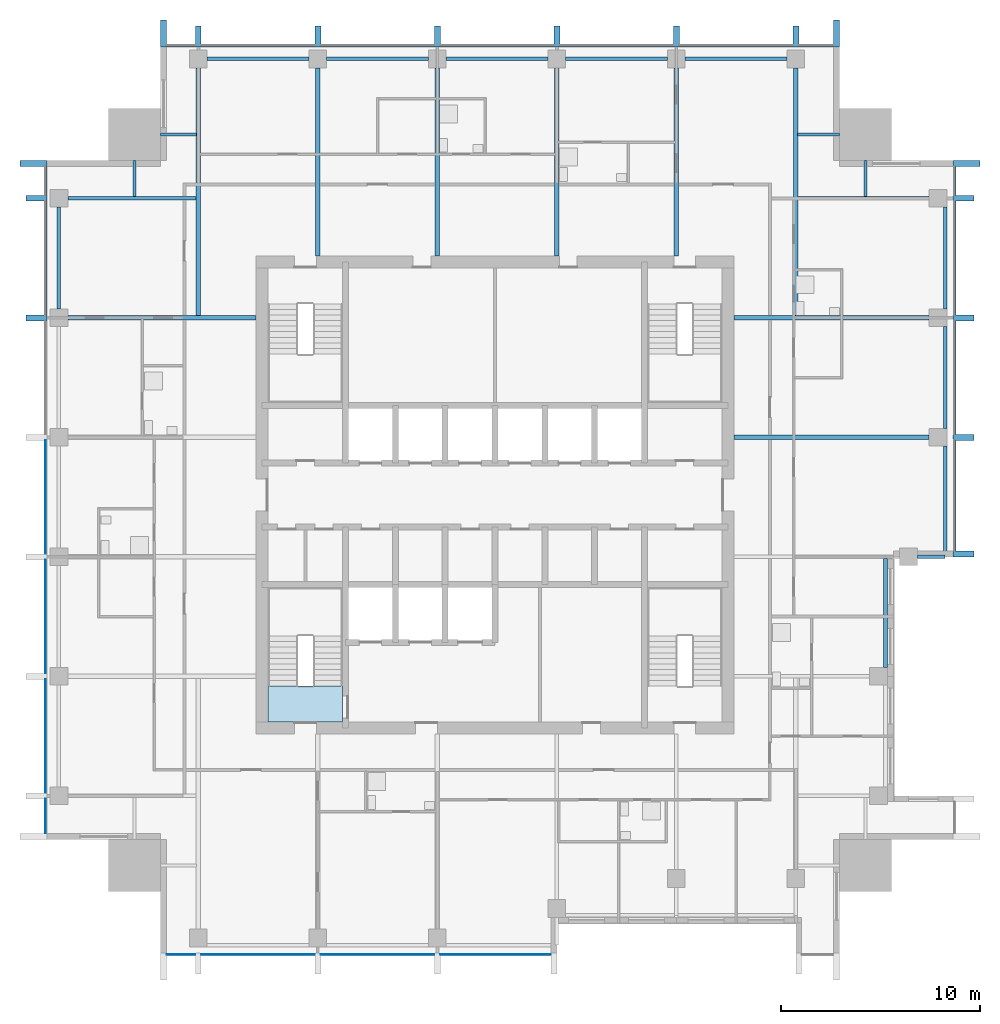
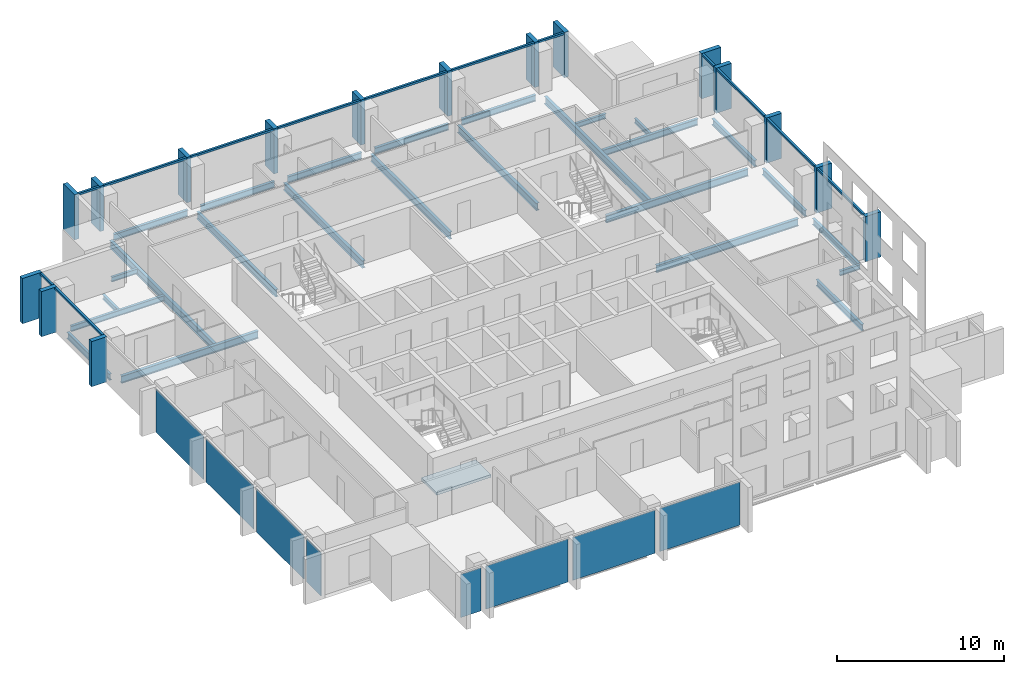
# One storey, part 2 of 10: 29 members, 26 beams, 8 plates, 1 slab, 5 elements without a shape of their own.
"""IFC4 building model written with IfcOpenShell, lengths in metres."""

from ifc_helpers import new_model, si_unit, direction, frame, origin, origin_2d, place, context, subcontext, project, spatial, polyline, rectangle, i_section, outline, extrude, material, layer, layer_set, material_profile, profile_set, type_object, element, aggregate, save


model = new_model("IFC4")

# Units and contexts
model_context = context("Model", 3, precision=1e-05, world=origin(), true_north=direction((0.0, 1.0)))
body_context = subcontext(model_context, "Body", "Model", "MODEL_VIEW")
ifc_project = project(units=[si_unit("LENGTHUNIT", "METRE"), si_unit("AREAUNIT", "SQUARE_METRE"), si_unit("VOLUMEUNIT", "CUBIC_METRE"), si_unit("PLANEANGLEUNIT", "RADIAN"), si_unit("MASSUNIT", "GRAM", prefix="KILO")], contexts=[model_context])

# Site, building, storey
site_placement = place(None, origin())
site = spatial("IfcSite", under=ifc_project, at=site_placement, CompositionType="ELEMENT")
building_placement = place(site_placement, origin())
building = spatial("IfcBuilding", under=site, at=building_placement, Name="Amberfall Residences", CompositionType="ELEMENT")
storey_placement = place(building_placement, frame((0.0, 0.0, 206.800048828125)))
storey = spatial("IfcBuildingStorey", under=building, at=storey_placement, Name="L55", CompositionType="ELEMENT", Elevation=206.800048828125)

# Curtain wall, members
ifc_material_1 = material(Name="Bronze anodised aluminium and glass", Category="aluminium")
curtain_wall_type = type_object("IfcCurtainWallType", Name="Curtain wall CW1 tower unit", PredefinedType="USERDEFINED", material=ifc_material_1)
curtain_wall_1_placement = place(storey_placement, origin())
curtain_wall_1 = element("IfcCurtainWall", 1, at=curtain_wall_1_placement, inside=storey, type_object=curtain_wall_type, Name="Curtain wall L55 E E6", ObjectType="UNITISED CURTAIN WALL", PredefinedType="USERDEFINED")
ifc_material_2 = material(Name="Bronze anodised aluminium", Category="aluminium")
ifc_material_profile_1 = material_profile(ifc_material_2, rectangle(XDim=0.14990234375, YDim=0.14990234375, at=origin_2d()), Name="CW1 transom 150 x 150 bronze")
ifc_profile_set_1 = profile_set([ifc_material_profile_1], Name="Bronze anodised aluminium")
member_type_1 = type_object("IfcMemberType", Name="CW1 transom 150 x 150 bronze", PredefinedType="USERDEFINED", material=ifc_profile_set_1)
member_1_placement = place(storey_placement, frame((97.574951171875, 42.699951171875, 2.974853515625), z_axis=(0.0, 1.0, 0.0), x_axis=(-1.0, 0.0, 0.0)))
member_1 = element("IfcMember", 2, at=member_1_placement, type_object=member_type_1, Name="CW1 transom 1.1", ObjectType="TRANSOM", PredefinedType="USERDEFINED", context=body_context, shape_type="SweptSolid", body=[
    extrude(rectangle(XDim=0.14990234375, YDim=0.14990234375, at=origin_2d()), origin(), (0.0, 0.0, 1.0), 5.550048828125),
])
member_2_placement = place(storey_placement, frame((97.574951171875, 48.550048828125, 2.974853515625), z_axis=(0.0, 1.0, 0.0), x_axis=(-1.0, 0.0, 0.0)))
member_2 = element("IfcMember", 3, at=member_2_placement, type_object=member_type_1, Name="CW1 transom 2.1", ObjectType="TRANSOM", PredefinedType="USERDEFINED", context=body_context, shape_type="SweptSolid", body=[
    extrude(rectangle(XDim=0.14990234375, YDim=0.14990234375, at=origin_2d()), origin(), (0.0, 0.0, 1.0), 5.699951171875),
])
member_3_placement = place(storey_placement, frame((97.574951171875, 54.550048828125, 2.974853515625), z_axis=(0.0, 1.0, 0.0), x_axis=(-1.0, 0.0, 0.0)))
member_3 = element("IfcMember", 4, at=member_3_placement, type_object=member_type_1, Name="CW1 transom 3.1", ObjectType="TRANSOM", PredefinedType="USERDEFINED", context=body_context, shape_type="SweptSolid", body=[
    extrude(rectangle(XDim=0.14990234375, YDim=0.14990234375, at=origin_2d()), origin(), (0.0, 0.0, 1.0), 5.699951171875),
])
member_4_placement = place(storey_placement, frame((97.574951171875, 60.550048828125, 2.974853515625), z_axis=(0.0, 1.0, 0.0), x_axis=(-1.0, 0.0, 0.0)))
member_4 = element("IfcMember", 5, at=member_4_placement, type_object=member_type_1, Name="CW1 transom 4.1", ObjectType="TRANSOM", PredefinedType="USERDEFINED", context=body_context, shape_type="SweptSolid", body=[
    extrude(rectangle(XDim=0.14990234375, YDim=0.14990234375, at=origin_2d()), origin(), (0.0, 0.0, 1.0), 1.449951171875),
])

curtain_wall_2_placement = place(storey_placement, origin())
curtain_wall_2 = element("IfcCurtainWall", 6, at=curtain_wall_2_placement, inside=storey, type_object=curtain_wall_type, Name="Curtain wall L55 N N1", ObjectType="UNITISED CURTAIN WALL", PredefinedType="USERDEFINED")
member_5_placement = place(storey_placement, frame((91.5, 68.074951171875, 2.974853515625), z_axis=(-1.0, 0.0, 0.0), x_axis=(0.0, -1.0, 0.0)))
member_5 = element("IfcMember", 7, at=member_5_placement, type_object=member_type_1, Name="CW1 transom 1.1", ObjectType="TRANSOM", PredefinedType="USERDEFINED", context=body_context, shape_type="SweptSolid", body=[
    extrude(rectangle(XDim=0.14990234375, YDim=0.14990234375, at=origin_2d()), origin(), (0.0, 0.0, 1.0), 1.75),
])
member_6_placement = place(storey_placement, frame((89.449951171875, 68.074951171875, 2.974853515625), z_axis=(-1.0, 0.0, 0.0), x_axis=(0.0, -1.0, 0.0)))
member_6 = element("IfcMember", 8, at=member_6_placement, type_object=member_type_1, Name="CW1 transom 2.1", ObjectType="TRANSOM", PredefinedType="USERDEFINED", context=body_context, shape_type="SweptSolid", body=[
    extrude(rectangle(XDim=0.14990234375, YDim=0.14990234375, at=origin_2d()), origin(), (0.0, 0.0, 1.0), 5.699951171875),
])
member_7_placement = place(storey_placement, frame((83.449951171875, 68.074951171875, 2.974853515625), z_axis=(-1.0, 0.0, 0.0), x_axis=(0.0, -1.0, 0.0)))
member_7 = element("IfcMember", 9, at=member_7_placement, type_object=member_type_1, Name="CW1 transom 3.1", ObjectType="TRANSOM", PredefinedType="USERDEFINED", context=body_context, shape_type="SweptSolid", body=[
    extrude(rectangle(XDim=0.14990234375, YDim=0.14990234375, at=origin_2d()), origin(), (0.0, 0.0, 1.0), 5.699951171875),
])
member_8_placement = place(storey_placement, frame((77.449951171875, 68.074951171875, 2.974853515625), z_axis=(-1.0, 0.0, 0.0), x_axis=(0.0, -1.0, 0.0)))
member_8 = element("IfcMember", 10, at=member_8_placement, type_object=member_type_1, Name="CW1 transom 4.1", ObjectType="TRANSOM", PredefinedType="USERDEFINED", context=body_context, shape_type="SweptSolid", body=[
    extrude(rectangle(XDim=0.14990234375, YDim=0.14990234375, at=origin_2d()), origin(), (0.0, 0.0, 1.0), 5.699951171875),
])
member_9_placement = place(storey_placement, frame((71.449951171875, 68.074951171875, 2.974853515625), z_axis=(-1.0, 0.0, 0.0), x_axis=(0.0, -1.0, 0.0)))
member_9 = element("IfcMember", 11, at=member_9_placement, type_object=member_type_1, Name="CW1 transom 5.1", ObjectType="TRANSOM", PredefinedType="USERDEFINED", context=body_context, shape_type="SweptSolid", body=[
    extrude(rectangle(XDim=0.14990234375, YDim=0.14990234375, at=origin_2d()), origin(), (0.0, 0.0, 1.0), 5.699951171875),
])
member_10_placement = place(storey_placement, frame((65.449951171875, 68.074951171875, 2.974853515625), z_axis=(-1.0, 0.0, 0.0), x_axis=(0.0, -1.0, 0.0)))
member_10 = element("IfcMember", 12, at=member_10_placement, type_object=member_type_1, Name="CW1 transom 6.1", ObjectType="TRANSOM", PredefinedType="USERDEFINED", context=body_context, shape_type="SweptSolid", body=[
    extrude(rectangle(XDim=0.14990234375, YDim=0.14990234375, at=origin_2d()), origin(), (0.0, 0.0, 1.0), 5.699951171875),
])
member_11_placement = place(storey_placement, frame((59.449951171875, 68.074951171875, 2.974853515625), z_axis=(-1.0, 0.0, 0.0), x_axis=(0.0, -1.0, 0.0)))
member_11 = element("IfcMember", 13, at=member_11_placement, type_object=member_type_1, Name="CW1 transom 7.1", ObjectType="TRANSOM", PredefinedType="USERDEFINED", context=body_context, shape_type="SweptSolid", body=[
    extrude(rectangle(XDim=0.14990234375, YDim=0.14990234375, at=origin_2d()), origin(), (0.0, 0.0, 1.0), 1.449951171875),
])

curtain_wall_3_placement = place(storey_placement, origin())
curtain_wall_3 = element("IfcCurtainWall", 14, at=curtain_wall_3_placement, inside=storey, type_object=curtain_wall_type, Name="Curtain wall L55 W W1", ObjectType="UNITISED CURTAIN WALL", PredefinedType="USERDEFINED")
member_12_placement = place(storey_placement, frame((51.925048828125, 62.0, 2.974853515625), z_axis=(0.0, -1.0, 0.0), x_axis=(1.0, 0.0, 0.0)))
member_12 = element("IfcMember", 15, at=member_12_placement, type_object=member_type_1, Name="CW1 transom 1.1", ObjectType="TRANSOM", PredefinedType="USERDEFINED", context=body_context, shape_type="SweptSolid", body=[
    extrude(rectangle(XDim=0.14990234375, YDim=0.14990234375, at=origin_2d()), origin(), (0.0, 0.0, 1.0), 1.449951171875),
])
member_13_placement = place(storey_placement, frame((51.925048828125, 60.25, 2.974853515625), z_axis=(0.0, -1.0, 0.0), x_axis=(1.0, 0.0, 0.0)))
member_13 = element("IfcMember", 16, at=member_13_placement, type_object=member_type_1, Name="CW1 transom 2.1", ObjectType="TRANSOM", PredefinedType="USERDEFINED", context=body_context, shape_type="SweptSolid", body=[
    extrude(rectangle(XDim=0.14990234375, YDim=0.14990234375, at=origin_2d()), origin(), (0.0, 0.0, 1.0), 5.699951171875),
])

# Beam
ifc_material_3 = material(Name="Steel S355", Category="steel")
ifc_material_profile_2 = material_profile(ifc_material_3, i_section(OverallWidth=0.171142578125, OverallDepth=0.351318359375, WebThickness=0.007080078125, FlangeThickness=0.009765625, FilletRadius=0.01025390625, at=origin_2d()), Name="UB 356x171x45")
ifc_profile_set_2 = profile_set([ifc_material_profile_2], Name="Steel S355")
beam_type_1 = type_object("IfcBeamType", Name="Cantilever girder UB 356x171x45", PredefinedType="BEAM", material=ifc_profile_set_2)
beam_1_placement = place(storey_placement, frame((95.699951171875, 42.39990234375, -0.42578125), z_axis=(1.0, 0.0, 0.0), x_axis=(0.0, 1.0, 0.0)))
element("IfcBeam", 17, at=beam_1_placement, inside=storey, type_object=beam_type_1, Name="Cantilever girder B8 L55 20", PredefinedType="BEAM", context=body_context, shape_type="SweptSolid", body=[
    extrude(i_section(OverallWidth=0.171142578125, OverallDepth=0.351318359375, WebThickness=0.007080078125, FlangeThickness=0.009765625, FilletRadius=0.01025390625, at=origin_2d()), origin(), (0.0, 0.0, 1.0), 1.400146484375),
])

# Member
ifc_material_profile_3 = material_profile(ifc_material_2, rectangle(XDim=1.35009765625, YDim=0.300048828125, at=origin_2d()), Name="Corner fin 300 x 1350 bronze")
ifc_profile_set_3 = profile_set([ifc_material_profile_3], Name="Bronze anodised aluminium")
member_type_2 = type_object("IfcMemberType", Name="Corner fin 300 x 1350 bronze", PredefinedType="MULLION", material=ifc_profile_set_3)
member_14_placement = place(storey_placement, frame((98.175048828125, 62.14990234375, -0.25), z_axis=(0.0, 0.0, 1.0), x_axis=(-1.0, 0.0, 0.0)))
member_14 = element("IfcMember", 18, at=member_14_placement, type_object=member_type_2, Name="CW FIN 5", PredefinedType="MULLION", context=body_context, shape_type="SweptSolid", body=[
    extrude(rectangle(XDim=1.35009765625, YDim=0.300048828125, at=origin_2d()), origin(), (0.0, 0.0, 1.0), 3.300048828125),
])

member_15_placement = place(storey_placement, frame((91.64990234375, 68.675048828125, -0.25), z_axis=(0.0, 0.0, 1.0), x_axis=(0.0, -1.0, 0.0)))
member_15 = element("IfcMember", 19, at=member_15_placement, type_object=member_type_2, Name="CW FIN 1", PredefinedType="MULLION", context=body_context, shape_type="SweptSolid", body=[
    extrude(rectangle(XDim=1.35009765625, YDim=0.300048828125, at=origin_2d()), origin(), (0.0, 0.0, 1.0), 3.300048828125),
])

member_16_placement = place(storey_placement, frame((57.85009765625, 68.675048828125, -0.25), z_axis=(0.0, 0.0, 1.0), x_axis=(0.0, -1.0, 0.0)))
member_16 = element("IfcMember", 20, at=member_16_placement, type_object=member_type_2, Name="CW FIN 8", PredefinedType="MULLION", context=body_context, shape_type="SweptSolid", body=[
    extrude(rectangle(XDim=1.35009765625, YDim=0.300048828125, at=origin_2d()), origin(), (0.0, 0.0, 1.0), 3.300048828125),
])

member_17_placement = place(storey_placement, frame((51.324951171875, 62.14990234375, -0.25), z_axis=(0.0, 0.0, 1.0), x_axis=(1.0, 0.0, 0.0)))
member_17 = element("IfcMember", 21, at=member_17_placement, type_object=member_type_2, Name="CW FIN 1", PredefinedType="MULLION", context=body_context, shape_type="SweptSolid", body=[
    extrude(rectangle(XDim=1.35009765625, YDim=0.300048828125, at=origin_2d()), origin(), (0.0, 0.0, 1.0), 3.300048828125),
])

# Beams
ifc_material_profile_4 = material_profile(ifc_material_3, i_section(OverallWidth=0.18994140625, OverallDepth=0.453369140625, WebThickness=0.008544921875, FlangeThickness=0.0126953125, FilletRadius=0.01025390625, at=origin_2d()), Name="UB 457x191x67")
ifc_profile_set_4 = profile_set([ifc_material_profile_4], Name="Steel S355")
beam_type_2 = type_object("IfcBeamType", Name="Edge beam UB 457x191x67", PredefinedType="SPANDREL", material=ifc_profile_set_4)
for number, where, z_axis, x_axis, name in (
    (22, (94.10009765625, 36.85009765625, -0.476806640625), (0.0, 1.0, 0.0), (-1.0, 0.0, 0.0), "Edge beam B1 L55 16"),
    (23, (97.10009765625, 42.47998046875, -0.476806640625), (0.0, 1.0, 0.0), (-1.0, 0.0, 0.0), "Edge beam B1 L55 17"),
):
    element("IfcBeam", number, at=place(storey_placement, frame(where, z_axis=z_axis, x_axis=x_axis)), inside=storey, type_object=beam_type_2, Name=name, PredefinedType="SPANDREL", context=body_context, shape_type="SweptSolid", body=[
        extrude(i_section(OverallWidth=0.18994140625, OverallDepth=0.453369140625, WebThickness=0.008544921875, FlangeThickness=0.0126953125, FilletRadius=0.01025390625, at=origin_2d()), origin(), (0.0, 0.0, 1.0), 5.469970703125),
    ])
for number, where, z_axis, x_axis, name in (
    (24, (97.10009765625, 48.85009765625, -0.476806640625), (0.0, 1.0, 0.0), (-1.0, 0.0, 0.0), "Edge beam B1 L55 18"),
    (25, (97.10009765625, 54.85009765625, -0.476806640625), (0.0, 1.0, 0.0), (-1.0, 0.0, 0.0), "Edge beam B1 L55 19"),
    (26, (60.050048828125, 67.39990234375, -0.476806640625), (1.0, 0.0, 0.0), (0.0, 1.0, 0.0), "Edge beam B1 L55 27"),
    (27, (66.050048828125, 67.39990234375, -0.476806640625), (1.0, 0.0, 0.0), (0.0, 1.0, 0.0), "Edge beam B1 L55 28"),
    (28, (72.050048828125, 67.39990234375, -0.476806640625), (1.0, 0.0, 0.0), (0.0, 1.0, 0.0), "Edge beam B1 L55 29"),
    (29, (78.050048828125, 67.39990234375, -0.476806640625), (1.0, 0.0, 0.0), (0.0, 1.0, 0.0), "Edge beam B1 L55 30"),
    (30, (84.050048828125, 67.39990234375, -0.476806640625), (1.0, 0.0, 0.0), (0.0, 1.0, 0.0), "Edge beam B1 L55 31"),
    (31, (52.60009765625, 54.85009765625, -0.476806640625), (0.0, 1.0, 0.0), (-1.0, 0.0, 0.0), "Edge beam B1 L55 42"),
):
    element("IfcBeam", number, at=place(storey_placement, frame(where, z_axis=z_axis, x_axis=x_axis)), inside=storey, type_object=beam_type_2, Name=name, PredefinedType="SPANDREL", context=body_context, shape_type="SweptSolid", body=[
        extrude(i_section(OverallWidth=0.18994140625, OverallDepth=0.453369140625, WebThickness=0.008544921875, FlangeThickness=0.0126953125, FilletRadius=0.01025390625, at=origin_2d()), origin(), (0.0, 0.0, 1.0), 5.099853515625),
    ])

# Member
ifc_material_profile_5 = material_profile(ifc_material_2, rectangle(XDim=1.050048828125, YDim=0.300048828125, at=origin_2d()), Name="Fin 300 x 1050 bronze")
ifc_profile_set_5 = profile_set([ifc_material_profile_5], Name="Bronze anodised aluminium")
member_type_3 = type_object("IfcMemberType", Name="Fin 300 x 1050 bronze", PredefinedType="MULLION", material=ifc_profile_set_5)
member_18_placement = place(storey_placement, frame((98.02490234375, 42.550048828125, -0.25), z_axis=(0.0, 0.0, 1.0), x_axis=(-1.0, 0.0, 0.0)))
member_18 = element("IfcMember", 32, at=member_18_placement, type_object=member_type_3, Name="CW FIN 1", PredefinedType="MULLION", context=body_context, shape_type="SweptSolid", body=[
    extrude(rectangle(XDim=1.050048828125, YDim=0.300048828125, at=origin_2d()), origin(), (0.0, 0.0, 1.0), 3.300048828125),
])

member_19_placement = place(storey_placement, frame((98.02490234375, 48.39990234375, -0.25), z_axis=(0.0, 0.0, 1.0), x_axis=(-1.0, 0.0, 0.0)))
member_19 = element("IfcMember", 33, at=member_19_placement, type_object=member_type_3, Name="CW FIN 2", PredefinedType="MULLION", context=body_context, shape_type="SweptSolid", body=[
    extrude(rectangle(XDim=1.050048828125, YDim=0.300048828125, at=origin_2d()), origin(), (0.0, 0.0, 1.0), 3.300048828125),
])

member_20_placement = place(storey_placement, frame((98.02490234375, 54.39990234375, -0.25), z_axis=(0.0, 0.0, 1.0), x_axis=(-1.0, 0.0, 0.0)))
member_20 = element("IfcMember", 34, at=member_20_placement, type_object=member_type_3, Name="CW FIN 3", PredefinedType="MULLION", context=body_context, shape_type="SweptSolid", body=[
    extrude(rectangle(XDim=1.050048828125, YDim=0.300048828125, at=origin_2d()), origin(), (0.0, 0.0, 1.0), 3.300048828125),
])

member_21_placement = place(storey_placement, frame((98.02490234375, 60.39990234375, -0.25), z_axis=(0.0, 0.0, 1.0), x_axis=(-1.0, 0.0, 0.0)))
member_21 = element("IfcMember", 35, at=member_21_placement, type_object=member_type_3, Name="CW FIN 4", PredefinedType="MULLION", context=body_context, shape_type="SweptSolid", body=[
    extrude(rectangle(XDim=1.050048828125, YDim=0.300048828125, at=origin_2d()), origin(), (0.0, 0.0, 1.0), 3.300048828125),
])

aggregate(curtain_wall_1, [member_18, member_19, member_20, member_21, member_14, member_1, member_2, member_3, member_4])

member_22_placement = place(storey_placement, frame((89.60009765625, 68.52490234375, -0.25), z_axis=(0.0, 0.0, 1.0), x_axis=(0.0, -1.0, 0.0)))
member_22 = element("IfcMember", 36, at=member_22_placement, type_object=member_type_3, Name="CW FIN 2", PredefinedType="MULLION", context=body_context, shape_type="SweptSolid", body=[
    extrude(rectangle(XDim=1.050048828125, YDim=0.300048828125, at=origin_2d()), origin(), (0.0, 0.0, 1.0), 3.300048828125),
])

member_23_placement = place(storey_placement, frame((83.60009765625, 68.52490234375, -0.25), z_axis=(0.0, 0.0, 1.0), x_axis=(0.0, -1.0, 0.0)))
member_23 = element("IfcMember", 37, at=member_23_placement, type_object=member_type_3, Name="CW FIN 3", PredefinedType="MULLION", context=body_context, shape_type="SweptSolid", body=[
    extrude(rectangle(XDim=1.050048828125, YDim=0.300048828125, at=origin_2d()), origin(), (0.0, 0.0, 1.0), 3.300048828125),
])

member_24_placement = place(storey_placement, frame((77.60009765625, 68.52490234375, -0.25), z_axis=(0.0, 0.0, 1.0), x_axis=(0.0, -1.0, 0.0)))
member_24 = element("IfcMember", 38, at=member_24_placement, type_object=member_type_3, Name="CW FIN 4", PredefinedType="MULLION", context=body_context, shape_type="SweptSolid", body=[
    extrude(rectangle(XDim=1.050048828125, YDim=0.300048828125, at=origin_2d()), origin(), (0.0, 0.0, 1.0), 3.300048828125),
])

member_25_placement = place(storey_placement, frame((71.60009765625, 68.52490234375, -0.25), z_axis=(0.0, 0.0, 1.0), x_axis=(0.0, -1.0, 0.0)))
member_25 = element("IfcMember", 39, at=member_25_placement, type_object=member_type_3, Name="CW FIN 5", PredefinedType="MULLION", context=body_context, shape_type="SweptSolid", body=[
    extrude(rectangle(XDim=1.050048828125, YDim=0.300048828125, at=origin_2d()), origin(), (0.0, 0.0, 1.0), 3.300048828125),
])

member_26_placement = place(storey_placement, frame((65.60009765625, 68.52490234375, -0.25), z_axis=(0.0, 0.0, 1.0), x_axis=(0.0, -1.0, 0.0)))
member_26 = element("IfcMember", 40, at=member_26_placement, type_object=member_type_3, Name="CW FIN 6", PredefinedType="MULLION", context=body_context, shape_type="SweptSolid", body=[
    extrude(rectangle(XDim=1.050048828125, YDim=0.300048828125, at=origin_2d()), origin(), (0.0, 0.0, 1.0), 3.300048828125),
])

member_27_placement = place(storey_placement, frame((59.60009765625, 68.52490234375, -0.25), z_axis=(0.0, 0.0, 1.0), x_axis=(0.0, -1.0, 0.0)))
member_27 = element("IfcMember", 41, at=member_27_placement, type_object=member_type_3, Name="CW FIN 7", PredefinedType="MULLION", context=body_context, shape_type="SweptSolid", body=[
    extrude(rectangle(XDim=1.050048828125, YDim=0.300048828125, at=origin_2d()), origin(), (0.0, 0.0, 1.0), 3.300048828125),
])

aggregate(curtain_wall_2, [member_15, member_22, member_23, member_24, member_25, member_26, member_27, member_16, member_5, member_6, member_7, member_8, member_9, member_10, member_11])

member_28_placement = place(storey_placement, frame((51.47509765625, 60.39990234375, -0.25), z_axis=(0.0, 0.0, 1.0), x_axis=(1.0, 0.0, 0.0)))
member_28 = element("IfcMember", 42, at=member_28_placement, type_object=member_type_3, Name="CW FIN 2", PredefinedType="MULLION", context=body_context, shape_type="SweptSolid", body=[
    extrude(rectangle(XDim=1.050048828125, YDim=0.300048828125, at=origin_2d()), origin(), (0.0, 0.0, 1.0), 3.300048828125),
])

member_29_placement = place(storey_placement, frame((51.47509765625, 54.39990234375, -0.25), z_axis=(0.0, 0.0, 1.0), x_axis=(1.0, 0.0, 0.0)))
member_29 = element("IfcMember", 43, at=member_29_placement, type_object=member_type_3, Name="CW FIN 3", PredefinedType="MULLION", context=body_context, shape_type="SweptSolid", body=[
    extrude(rectangle(XDim=1.050048828125, YDim=0.300048828125, at=origin_2d()), origin(), (0.0, 0.0, 1.0), 3.300048828125),
])

# Beams
ifc_material_profile_6 = material_profile(ifc_material_3, i_section(OverallWidth=0.177734375, OverallDepth=0.402587890625, WebThickness=0.0078125, FlangeThickness=0.010986328125, FilletRadius=0.01025390625, at=origin_2d()), Name="UB 406x178x54")
ifc_profile_set_6 = profile_set([ifc_material_profile_6], Name="Steel S355")
beam_type_3 = type_object("IfcBeamType", Name="Floor girder UB 406x178x54", PredefinedType="BEAM", material=ifc_profile_set_6)
beam_2_placement = place(storey_placement, frame((53.050048828125, 60.39990234375, -0.451416015625), z_axis=(1.0, 0.0, 0.0), x_axis=(0.0, 1.0, 0.0)))
element("IfcBeam", 44, at=beam_2_placement, inside=storey, type_object=beam_type_3, Name="Floor girder B4 L55 48", PredefinedType="BEAM", context=body_context, shape_type="SweptSolid", body=[
    extrude(i_section(OverallWidth=0.177734375, OverallDepth=0.402587890625, WebThickness=0.0078125, FlangeThickness=0.010986328125, FilletRadius=0.01025390625, at=origin_2d()), origin(), (0.0, 0.0, 1.0), 6.429931640625),
])
ifc_material_profile_7 = material_profile(ifc_material_3, i_section(OverallWidth=0.19140625, OverallDepth=0.4599609375, WebThickness=0.010009765625, FlangeThickness=0.01611328125, FilletRadius=0.01025390625, at=origin_2d()), Name="UB 457x191x82")
ifc_profile_set_7 = profile_set([ifc_material_profile_7], Name="Steel S355")
beam_type_4 = type_object("IfcBeamType", Name="Floor girder UB 457x191x82", PredefinedType="BEAM", material=ifc_profile_set_7)
beam_3_placement = place(storey_placement, frame((96.300048828125, 60.39990234375, -0.47998046875), z_axis=(-1.0, 0.0, 0.0), x_axis=(0.0, -1.0, 0.0)))
element("IfcBeam", 45, at=beam_3_placement, inside=storey, type_object=beam_type_4, Name="Floor girder B10 L55 26", PredefinedType="BEAM", context=body_context, shape_type="SweptSolid", body=[
    extrude(i_section(OverallWidth=0.19140625, OverallDepth=0.4599609375, WebThickness=0.010009765625, FlangeThickness=0.01611328125, FilletRadius=0.01025390625, at=origin_2d()), origin(), (0.0, 0.0, 1.0), 6.580078125),
])
ifc_material_profile_8 = material_profile(ifc_material_3, i_section(OverallWidth=0.210693359375, OverallDepth=0.53955078125, WebThickness=0.01171875, FlangeThickness=0.018798828125, FilletRadius=0.0126953125, at=origin_2d()), Name="UB 533x210x109")
ifc_profile_set_8 = profile_set([ifc_material_profile_8], Name="Steel S355")
beam_type_5 = type_object("IfcBeamType", Name="Floor girder UB 533x210x109", PredefinedType="BEAM", material=ifc_profile_set_8)
for number, where, z_axis, x_axis, name in (
    (46, (59.60009765625, 66.949951171875, -0.519775390625), (0.0, -1.0, 0.0), (1.0, 0.0, 0.0), "Floor girder B2 L55 32"),
    (47, (89.60009765625, 66.949951171875, -0.519775390625), (0.0, -1.0, 0.0), (1.0, 0.0, 0.0), "Floor girder B2 L55 37"),
):
    element("IfcBeam", number, at=place(storey_placement, frame(where, z_axis=z_axis, x_axis=x_axis)), inside=storey, type_object=beam_type_5, Name=name, PredefinedType="BEAM", context=body_context, shape_type="SweptSolid", body=[
        extrude(i_section(OverallWidth=0.210693359375, OverallDepth=0.53955078125, WebThickness=0.01171875, FlangeThickness=0.018798828125, FilletRadius=0.0126953125, at=origin_2d()), origin(), (0.0, 0.0, 1.0), 12.450439453125),
    ])
ifc_material_profile_9 = material_profile(ifc_material_3, i_section(OverallWidth=0.209228515625, OverallDepth=0.533203125, WebThickness=0.010009765625, FlangeThickness=0.015625, FilletRadius=0.0126953125, at=origin_2d()), Name="UB 533x210x92")
ifc_profile_set_9 = profile_set([ifc_material_profile_9], Name="Steel S355")
beam_type_6 = type_object("IfcBeamType", Name="Floor girder UB 533x210x92", PredefinedType="BEAM", material=ifc_profile_set_9)
for number, where, z_axis, x_axis, name in (
    (48, (96.300048828125, 48.39990234375, -0.5166015625), (-1.0, 0.0, 0.0), (0.0, -1.0, 0.0), "Floor girder B3 L55 24"),
    (49, (96.300048828125, 54.39990234375, -0.5166015625), (-1.0, 0.0, 0.0), (0.0, -1.0, 0.0), "Floor girder B3 L55 25"),
):
    element("IfcBeam", number, at=place(storey_placement, frame(where, z_axis=z_axis, x_axis=x_axis)), inside=storey, type_object=beam_type_6, Name=name, PredefinedType="BEAM", context=body_context, shape_type="SweptSolid", body=[
        extrude(i_section(OverallWidth=0.209228515625, OverallDepth=0.533203125, WebThickness=0.010009765625, FlangeThickness=0.015625, FilletRadius=0.0126953125, at=origin_2d()), origin(), (0.0, 0.0, 1.0), 9.800048828125),
    ])
for number, where, z_axis, x_axis, name in (
    (50, (65.60009765625, 66.949951171875, -0.5166015625), (0.0, -1.0, 0.0), (1.0, 0.0, 0.0), "Floor girder B3 L55 33"),
    (51, (71.60009765625, 66.949951171875, -0.5166015625), (0.0, -1.0, 0.0), (1.0, 0.0, 0.0), "Floor girder B3 L55 34"),
    (52, (77.60009765625, 66.949951171875, -0.5166015625), (0.0, -1.0, 0.0), (1.0, 0.0, 0.0), "Floor girder B3 L55 35"),
    (53, (83.60009765625, 66.949951171875, -0.5166015625), (0.0, -1.0, 0.0), (1.0, 0.0, 0.0), "Floor girder B3 L55 36"),
    (54, (53.050048828125, 54.39990234375, -0.5166015625), (1.0, 0.0, 0.0), (0.0, 1.0, 0.0), "Floor girder B3 L55 47"),
):
    element("IfcBeam", number, at=place(storey_placement, frame(where, z_axis=z_axis, x_axis=x_axis)), inside=storey, type_object=beam_type_6, Name=name, PredefinedType="BEAM", context=body_context, shape_type="SweptSolid", body=[
        extrude(i_section(OverallWidth=0.209228515625, OverallDepth=0.533203125, WebThickness=0.010009765625, FlangeThickness=0.015625, FilletRadius=0.0126953125, at=origin_2d()), origin(), (0.0, 0.0, 1.0), 9.449951171875),
    ])
ifc_material_profile_10 = material_profile(ifc_material_3, i_section(OverallWidth=0.171142578125, OverallDepth=0.351318359375, WebThickness=0.007080078125, FlangeThickness=0.009765625, FilletRadius=0.01025390625, at=origin_2d()), Name="UB 356x171x45")
ifc_profile_set_10 = profile_set([ifc_material_profile_10], Name="Steel S355")
beam_type_7 = type_object("IfcBeamType", Name="Link beam UB 356x171x45", PredefinedType="BEAM", material=ifc_profile_set_10)
beam_4_placement = place(storey_placement, frame((91.800048828125, 63.60009765625, -0.42578125), z_axis=(-1.0, 0.0, 0.0), x_axis=(0.0, -1.0, 0.0)))
element("IfcBeam", 55, at=beam_4_placement, inside=storey, type_object=beam_type_7, Name="Link beam B7 L55 53", PredefinedType="BEAM", context=body_context, shape_type="SweptSolid", body=[
    extrude(i_section(OverallWidth=0.171142578125, OverallDepth=0.351318359375, WebThickness=0.007080078125, FlangeThickness=0.009765625, FilletRadius=0.01025390625, at=origin_2d()), origin(), (0.0, 0.0, 1.0), 2.104736328125),
])
beam_5_placement = place(storey_placement, frame((93.10009765625, 62.300048828125, -0.42578125), z_axis=(0.0, -1.0, 0.0), x_axis=(1.0, 0.0, 0.0)))
element("IfcBeam", 56, at=beam_5_placement, inside=storey, type_object=beam_type_7, Name="Link beam B7 L55 54", PredefinedType="BEAM", context=body_context, shape_type="SweptSolid", body=[
    extrude(i_section(OverallWidth=0.171142578125, OverallDepth=0.351318359375, WebThickness=0.007080078125, FlangeThickness=0.009765625, FilletRadius=0.01025390625, at=origin_2d()), origin(), (0.0, 0.0, 1.0), 1.814453125),
])
beam_6_placement = place(storey_placement, frame((57.699951171875, 63.60009765625, -0.42578125), z_axis=(1.0, 0.0, 0.0), x_axis=(0.0, 1.0, 0.0)))
element("IfcBeam", 57, at=beam_6_placement, inside=storey, type_object=beam_type_7, Name="Link beam B7 L55 55", PredefinedType="BEAM", context=body_context, shape_type="SweptSolid", body=[
    extrude(i_section(OverallWidth=0.171142578125, OverallDepth=0.351318359375, WebThickness=0.007080078125, FlangeThickness=0.009765625, FilletRadius=0.01025390625, at=origin_2d()), origin(), (0.0, 0.0, 1.0), 1.8046875),
])
beam_7_placement = place(storey_placement, frame((56.39990234375, 62.300048828125, -0.42578125), z_axis=(0.0, -1.0, 0.0), x_axis=(1.0, 0.0, 0.0)))
element("IfcBeam", 58, at=beam_7_placement, inside=storey, type_object=beam_type_7, Name="Link beam B7 L55 56", PredefinedType="BEAM", context=body_context, shape_type="SweptSolid", body=[
    extrude(i_section(OverallWidth=0.171142578125, OverallDepth=0.351318359375, WebThickness=0.007080078125, FlangeThickness=0.009765625, FilletRadius=0.01025390625, at=origin_2d()), origin(), (0.0, 0.0, 1.0), 1.821044921875),
])

# Curtain wall, plates
curtain_wall_4_placement = place(storey_placement, origin())
curtain_wall_4 = element("IfcCurtainWall", 59, at=curtain_wall_4_placement, inside=storey, type_object=curtain_wall_type, Name="Curtain wall L55 S S1", ObjectType="UNITISED CURTAIN WALL", PredefinedType="USERDEFINED")
ifc_material_4 = material(Name="Tinted double glazed unit", Category="glass")
ifc_layer_1 = layer(ifc_material_4, 0.035888671875)
ifc_layer_set_1 = layer_set([ifc_layer_1], Name="CW1 panel 36 glazing")
plate_type = type_object("IfcPlateType", Name="CW1 panel 36 glazing", PredefinedType="CURTAIN_PANEL", material=ifc_layer_set_1)
plate_1_placement = place(storey_placement, frame((58.72509765625, 22.425048828125, -0.25), z_axis=(0.0, 0.0, 1.0), x_axis=(1.0, 0.0, 0.0)))
plate_1 = element("IfcPlate", 60, at=plate_1_placement, type_object=plate_type, Name="CW1 panel 1.1", PredefinedType="CURTAIN_PANEL", context=body_context, shape_type="SweptSolid", body=[
    extrude(rectangle(XDim=1.426025390625, YDim=0.035888671875, at=origin_2d()), origin(), (0.0, 0.0, 1.0), 3.14990234375),
])
plate_2_placement = place(storey_placement, frame((62.60009765625, 22.425048828125, -0.25), z_axis=(0.0, 0.0, 1.0), x_axis=(1.0, 0.0, 0.0)))
plate_2 = element("IfcPlate", 61, at=plate_2_placement, type_object=plate_type, Name="CW1 panel 2.1", PredefinedType="CURTAIN_PANEL", context=body_context, shape_type="SweptSolid", body=[
    extrude(rectangle(XDim=5.676025390625, YDim=0.035888671875, at=origin_2d()), origin(), (0.0, 0.0, 1.0), 3.14990234375),
])
plate_3_placement = place(storey_placement, frame((68.60009765625, 22.425048828125, -0.25), z_axis=(0.0, 0.0, 1.0), x_axis=(1.0, 0.0, 0.0)))
plate_3 = element("IfcPlate", 62, at=plate_3_placement, type_object=plate_type, Name="CW1 panel 3.1", PredefinedType="CURTAIN_PANEL", context=body_context, shape_type="SweptSolid", body=[
    extrude(rectangle(XDim=5.676025390625, YDim=0.035888671875, at=origin_2d()), origin(), (0.0, 0.0, 1.0), 3.14990234375),
])
plate_4_placement = place(storey_placement, frame((74.52490234375, 22.425048828125, -0.25), z_axis=(0.0, 0.0, 1.0), x_axis=(1.0, 0.0, 0.0)))
plate_4 = element("IfcPlate", 63, at=plate_4_placement, type_object=plate_type, Name="CW1 panel 4.1", PredefinedType="CURTAIN_PANEL", context=body_context, shape_type="SweptSolid", body=[
    extrude(rectangle(XDim=5.52587890625, YDim=0.035888671875, at=origin_2d()), origin(), (0.0, 0.0, 1.0), 3.14990234375),
])
aggregate(curtain_wall_4, [plate_1, plate_2, plate_3, plate_4])

# Plate
plate_5_placement = place(storey_placement, frame((51.925048828125, 45.39990234375, -0.25), z_axis=(0.0, 0.0, 1.0), x_axis=(0.0, -1.0, 0.0)))
plate_5 = element("IfcPlate", 64, at=plate_5_placement, type_object=plate_type, Name="CW1 panel 4.1", PredefinedType="CURTAIN_PANEL", context=body_context, shape_type="SweptSolid", body=[
    extrude(rectangle(XDim=5.676025390625, YDim=0.035888671875, at=origin_2d()), origin(), (0.0, 0.0, 1.0), 3.14990234375),
])

plate_6_placement = place(storey_placement, frame((51.925048828125, 39.39990234375, -0.25), z_axis=(0.0, 0.0, 1.0), x_axis=(0.0, -1.0, 0.0)))
plate_6 = element("IfcPlate", 65, at=plate_6_placement, type_object=plate_type, Name="CW1 panel 5.1", PredefinedType="CURTAIN_PANEL", context=body_context, shape_type="SweptSolid", body=[
    extrude(rectangle(XDim=5.676025390625, YDim=0.035888671875, at=origin_2d()), origin(), (0.0, 0.0, 1.0), 3.14990234375),
])

plate_7_placement = place(storey_placement, frame((51.925048828125, 33.39990234375, -0.25), z_axis=(0.0, 0.0, 1.0), x_axis=(0.0, -1.0, 0.0)))
plate_7 = element("IfcPlate", 66, at=plate_7_placement, type_object=plate_type, Name="CW1 panel 6.1", PredefinedType="CURTAIN_PANEL", context=body_context, shape_type="SweptSolid", body=[
    extrude(rectangle(XDim=5.676025390625, YDim=0.035888671875, at=origin_2d()), origin(), (0.0, 0.0, 1.0), 3.14990234375),
])

plate_8_placement = place(storey_placement, frame((51.925048828125, 29.375, -0.25), z_axis=(0.0, 0.0, 1.0), x_axis=(0.0, -1.0, 0.0)))
plate_8 = element("IfcPlate", 67, at=plate_8_placement, type_object=plate_type, Name="CW1 panel 7.1", PredefinedType="CURTAIN_PANEL", context=body_context, shape_type="SweptSolid", body=[
    extrude(rectangle(XDim=1.72607421875, YDim=0.035888671875, at=origin_2d()), origin(), (0.0, 0.0, 1.0), 3.14990234375),
])

aggregate(curtain_wall_3, [member_17, member_28, member_29, member_12, member_13, plate_5, plate_6, plate_7, plate_8])

# Stair, slab
ifc_material_5 = material(Name="Concrete C40", Category="concrete")
stair_type = type_object("IfcStairType", Name="Exit stair 20 risers 165.0 mm", PredefinedType="HALF_TURN_STAIR", material=ifc_material_5)
stair_placement = place(storey_placement, origin())
stair = element("IfcStair", 68, at=stair_placement, inside=storey, type_object=stair_type, Name="L55 Exit stair 1", PredefinedType="HALF_TURN_STAIR")
ifc_layer_2 = layer(ifc_material_5, 0.199951171875)
ifc_layer_set_2 = layer_set([ifc_layer_2], Name="Stair landing 200")
slab_type = type_object("IfcSlabType", Name="Stair landing 200", PredefinedType="LANDING", material=ifc_layer_set_2)
slab_placement = place(storey_placement, frame((0.0, 0.0, -0.199951171875)))
slab = element("IfcSlab", 69, at=slab_placement, type_object=slab_type, Name="ST3 landing 2", PredefinedType="LANDING", context=body_context, shape_type="SweptSolid", body=[
    extrude(outline(polyline([(66.85009765625, 34.10009765625), (66.85009765625, 35.89990234375), (63.10009765625, 35.89990234375), (63.10009765625, 34.10009765625), (66.85009765625, 34.10009765625)])), origin(), (0.0, 0.0, 1.0), 0.199951171875),
])
aggregate(stair, [slab])

save(model, "model.ifc")
